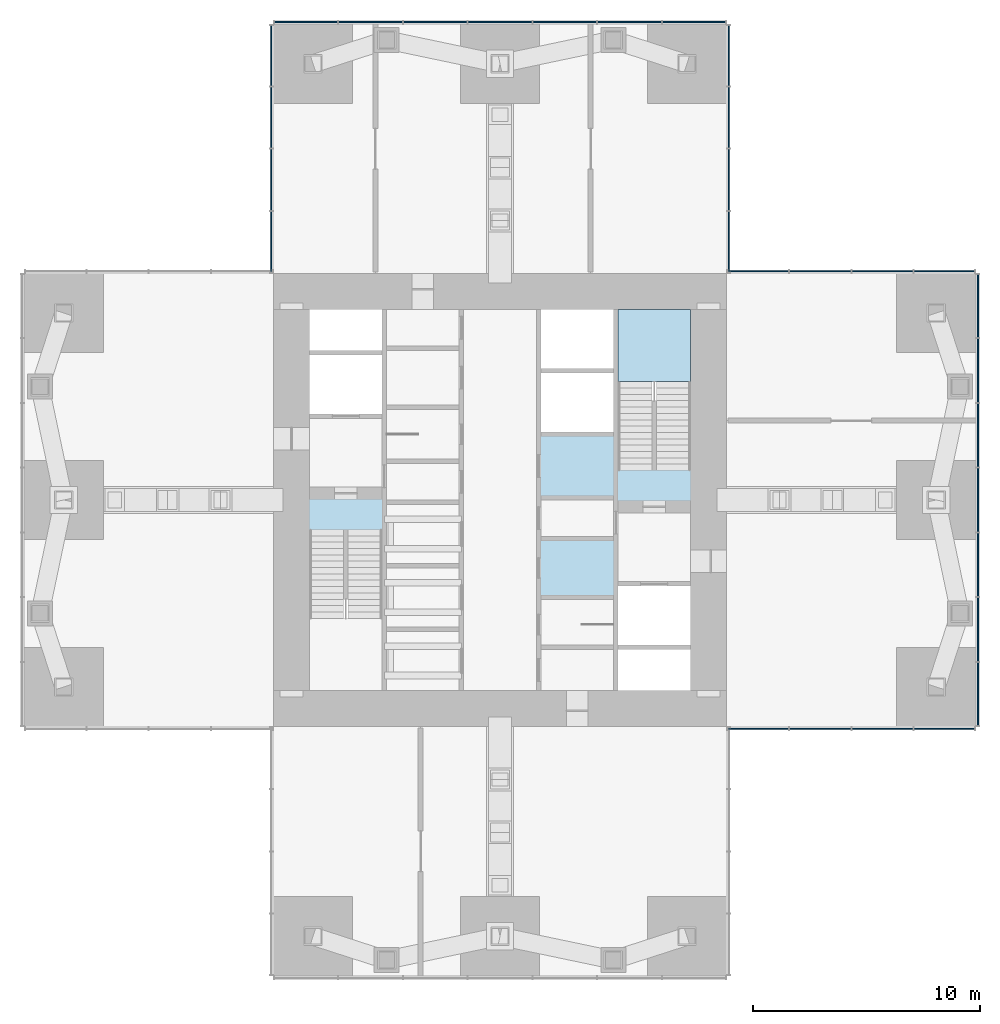
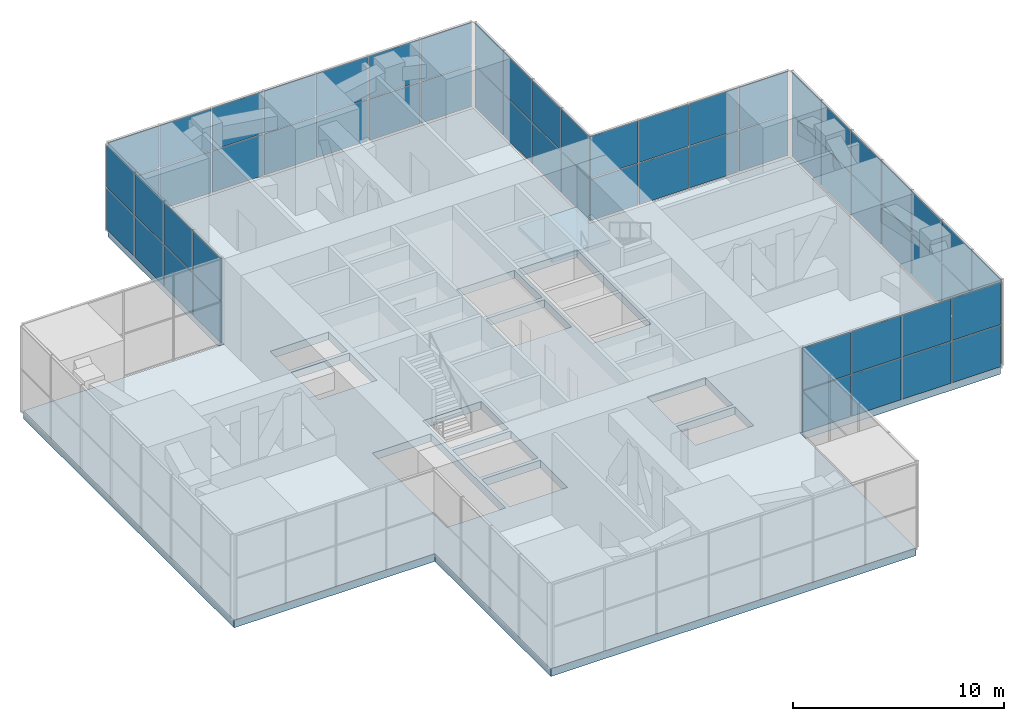
# One storey, part 9 of 12: 60 plates, 2 slabs, 7 elements without a shape of their own.
"""IFC4 building model written with IfcOpenShell, lengths in metres."""

from ifc_helpers import new_model, si_unit, direction, frame, origin, origin_2d, place, context, subcontext, project, spatial, polyline, rectangle, outline, extrude, material, layer, layer_set, type_object, element, aggregate, save


model = new_model("IFC4")

# Units and contexts
model_context = context("Model", 3, precision=1e-05, world=origin(), true_north=direction((0.0, 1.0)))
body_context = subcontext(model_context, "Body", "Model", "MODEL_VIEW")
ifc_project = project(units=[si_unit("LENGTHUNIT", "METRE"), si_unit("AREAUNIT", "SQUARE_METRE"), si_unit("VOLUMEUNIT", "CUBIC_METRE"), si_unit("PLANEANGLEUNIT", "RADIAN"), si_unit("MASSUNIT", "GRAM", prefix="KILO")], contexts=[model_context])

# Site, building, storey
site_placement = place(None, origin())
site = spatial("IfcSite", under=ifc_project, at=site_placement, CompositionType="ELEMENT")
building_placement = place(site_placement, origin())
building = spatial("IfcBuilding", under=site, at=building_placement, Name="Svetlomir Tower", CompositionType="ELEMENT")
storey_placement = place(building_placement, frame((0.0, 0.0, 160.5)))
storey = spatial("IfcBuildingStorey", under=building, at=storey_placement, Name="L38", CompositionType="ELEMENT", Elevation=160.5)

# Curtain wall, plates
ifc_material_1 = material(Name="Bronze anodised aluminium curtain wall", Category="aluminium")
curtain_wall_type = type_object("IfcCurtainWallType", Name="CURTAIN WALL CW3 PLANT LOUVRE", PredefinedType="NOTDEFINED", material=ifc_material_1)
curtain_wall_1_placement = place(storey_placement, origin())
curtain_wall_1 = element("IfcCurtainWall", 1, at=curtain_wall_1_placement, inside=storey, type_object=curtain_wall_type, Name="Curtain wall CW3 L38", PredefinedType="NOTDEFINED")
ifc_material_2 = material(Name="Bronze anodised aluminium louvre", Category="aluminium")
ifc_layer_1 = layer(ifc_material_2, 0.050048828125)
ifc_layer_set_1 = layer_set([ifc_layer_1], Name="Bronze anodised aluminium louvre")
plate_type = type_object("IfcPlateType", Name="CW3 LOUVRE PANEL 50", PredefinedType="CURTAIN_PANEL", material=ifc_layer_set_1)
plate_1_placement = place(storey_placement, frame((32.391357421875, 10.909912109375, 0.06494140625), z_axis=(0.0, 0.0, 1.0), x_axis=(1.0, 0.0, 0.0)))
plate_1 = element("IfcPlate", 2, at=plate_1_placement, type_object=plate_type, Name="CW3 panel 1.1", PredefinedType="CURTAIN_PANEL", context=body_context, shape_type="SweptSolid", body=[
    extrude(rectangle(XDim=2.652587890625, YDim=0.050048828125, at=origin_2d()), origin(), (0.0, 0.0, 1.0), 2.38623046875),
])
plate_2_placement = place(storey_placement, frame((32.391357421875, 10.909912109375, 2.51611328125), z_axis=(0.0, 0.0, 1.0), x_axis=(1.0, 0.0, 0.0)))
plate_2 = element("IfcPlate", 3, at=plate_2_placement, type_object=plate_type, Name="CW3 panel 1.2", PredefinedType="CURTAIN_PANEL", context=body_context, shape_type="SweptSolid", body=[
    extrude(rectangle(XDim=2.652587890625, YDim=0.050048828125, at=origin_2d()), origin(), (0.0, 0.0, 1.0), 2.418701171875),
])
plate_3_placement = place(storey_placement, frame((35.125, 10.909912109375, 0.06494140625), z_axis=(0.0, 0.0, 1.0), x_axis=(1.0, 0.0, 0.0)))
plate_3 = element("IfcPlate", 4, at=plate_3_placement, type_object=plate_type, Name="CW3 panel 2.1", PredefinedType="CURTAIN_PANEL", context=body_context, shape_type="SweptSolid", body=[
    extrude(rectangle(XDim=2.68505859375, YDim=0.050048828125, at=origin_2d()), origin(), (0.0, 0.0, 1.0), 2.38623046875),
])
plate_4_placement = place(storey_placement, frame((35.125, 10.909912109375, 2.51611328125), z_axis=(0.0, 0.0, 1.0), x_axis=(1.0, 0.0, 0.0)))
plate_4 = element("IfcPlate", 5, at=plate_4_placement, type_object=plate_type, Name="CW3 panel 2.2", PredefinedType="CURTAIN_PANEL", context=body_context, shape_type="SweptSolid", body=[
    extrude(rectangle(XDim=2.68505859375, YDim=0.050048828125, at=origin_2d()), origin(), (0.0, 0.0, 1.0), 2.418701171875),
])
plate_5_placement = place(storey_placement, frame((37.875, 10.909912109375, 0.06494140625), z_axis=(0.0, 0.0, 1.0), x_axis=(1.0, 0.0, 0.0)))
plate_5 = element("IfcPlate", 6, at=plate_5_placement, type_object=plate_type, Name="CW3 panel 3.1", PredefinedType="CURTAIN_PANEL", context=body_context, shape_type="SweptSolid", body=[
    extrude(rectangle(XDim=2.68505859375, YDim=0.050048828125, at=origin_2d()), origin(), (0.0, 0.0, 1.0), 2.38623046875),
])
plate_6_placement = place(storey_placement, frame((37.875, 10.909912109375, 2.51611328125), z_axis=(0.0, 0.0, 1.0), x_axis=(1.0, 0.0, 0.0)))
plate_6 = element("IfcPlate", 7, at=plate_6_placement, type_object=plate_type, Name="CW3 panel 3.2", PredefinedType="CURTAIN_PANEL", context=body_context, shape_type="SweptSolid", body=[
    extrude(rectangle(XDim=2.68505859375, YDim=0.050048828125, at=origin_2d()), origin(), (0.0, 0.0, 1.0), 2.418701171875),
])
plate_7_placement = place(storey_placement, frame((40.608642578125, 10.909912109375, 0.06494140625), z_axis=(0.0, 0.0, 1.0), x_axis=(1.0, 0.0, 0.0)))
plate_7 = element("IfcPlate", 8, at=plate_7_placement, type_object=plate_type, Name="CW3 panel 4.1", PredefinedType="CURTAIN_PANEL", context=body_context, shape_type="SweptSolid", body=[
    extrude(rectangle(XDim=2.652587890625, YDim=0.050048828125, at=origin_2d()), origin(), (0.0, 0.0, 1.0), 2.38623046875),
])
plate_8_placement = place(storey_placement, frame((40.608642578125, 10.909912109375, 2.51611328125), z_axis=(0.0, 0.0, 1.0), x_axis=(1.0, 0.0, 0.0)))
plate_8 = element("IfcPlate", 9, at=plate_8_placement, type_object=plate_type, Name="CW3 panel 4.2", PredefinedType="CURTAIN_PANEL", context=body_context, shape_type="SweptSolid", body=[
    extrude(rectangle(XDim=2.652587890625, YDim=0.050048828125, at=origin_2d()), origin(), (0.0, 0.0, 1.0), 2.418701171875),
])
aggregate(curtain_wall_1, [plate_1, plate_2, plate_3, plate_4, plate_5, plate_6, plate_7, plate_8])

curtain_wall_2_placement = place(storey_placement, origin())
curtain_wall_2 = element("IfcCurtainWall", 10, at=curtain_wall_2_placement, inside=storey, type_object=curtain_wall_type, Name="Curtain wall CW3 L38", PredefinedType="NOTDEFINED")
plate_9_placement = place(storey_placement, frame((42.090087890625, 12.44482421875, 0.06494140625), z_axis=(0.0, 0.0, 1.0), x_axis=(0.0, 1.0, 0.0)))
plate_9 = element("IfcPlate", 11, at=plate_9_placement, type_object=plate_type, Name="CW3 panel 1.1", PredefinedType="CURTAIN_PANEL", context=body_context, shape_type="SweptSolid", body=[
    extrude(rectangle(XDim=2.759521484375, YDim=0.050048828125, at=origin_2d()), origin(), (0.0, 0.0, 1.0), 2.38623046875),
])
plate_10_placement = place(storey_placement, frame((42.090087890625, 12.44482421875, 2.51611328125), z_axis=(0.0, 0.0, 1.0), x_axis=(0.0, 1.0, 0.0)))
plate_10 = element("IfcPlate", 12, at=plate_10_placement, type_object=plate_type, Name="CW3 panel 1.2", PredefinedType="CURTAIN_PANEL", context=body_context, shape_type="SweptSolid", body=[
    extrude(rectangle(XDim=2.759521484375, YDim=0.050048828125, at=origin_2d()), origin(), (0.0, 0.0, 1.0), 2.418701171875),
])
plate_11_placement = place(storey_placement, frame((42.090087890625, 15.28564453125, 0.06494140625), z_axis=(0.0, 0.0, 1.0), x_axis=(0.0, 1.0, 0.0)))
plate_11 = element("IfcPlate", 13, at=plate_11_placement, type_object=plate_type, Name="CW3 panel 2.1", PredefinedType="CURTAIN_PANEL", context=body_context, shape_type="SweptSolid", body=[
    extrude(rectangle(XDim=2.792236328125, YDim=0.050048828125, at=origin_2d()), origin(), (0.0, 0.0, 1.0), 2.38623046875),
])
plate_12_placement = place(storey_placement, frame((42.090087890625, 15.28564453125, 2.51611328125), z_axis=(0.0, 0.0, 1.0), x_axis=(0.0, 1.0, 0.0)))
plate_12 = element("IfcPlate", 14, at=plate_12_placement, type_object=plate_type, Name="CW3 panel 2.2", PredefinedType="CURTAIN_PANEL", context=body_context, shape_type="SweptSolid", body=[
    extrude(rectangle(XDim=2.792236328125, YDim=0.050048828125, at=origin_2d()), origin(), (0.0, 0.0, 1.0), 2.418701171875),
])
plate_13_placement = place(storey_placement, frame((42.090087890625, 18.142822265625, 0.06494140625), z_axis=(0.0, 0.0, 1.0), x_axis=(0.0, 1.0, 0.0)))
plate_13 = element("IfcPlate", 15, at=plate_13_placement, type_object=plate_type, Name="CW3 panel 3.1", PredefinedType="CURTAIN_PANEL", context=body_context, shape_type="SweptSolid", body=[
    extrude(rectangle(XDim=2.792236328125, YDim=0.050048828125, at=origin_2d()), origin(), (0.0, 0.0, 1.0), 2.38623046875),
])
plate_14_placement = place(storey_placement, frame((42.090087890625, 18.142822265625, 2.51611328125), z_axis=(0.0, 0.0, 1.0), x_axis=(0.0, 1.0, 0.0)))
plate_14 = element("IfcPlate", 16, at=plate_14_placement, type_object=plate_type, Name="CW3 panel 3.2", PredefinedType="CURTAIN_PANEL", context=body_context, shape_type="SweptSolid", body=[
    extrude(rectangle(XDim=2.792236328125, YDim=0.050048828125, at=origin_2d()), origin(), (0.0, 0.0, 1.0), 2.418701171875),
])
plate_15_placement = place(storey_placement, frame((42.090087890625, 21.0, 0.06494140625), z_axis=(0.0, 0.0, 1.0), x_axis=(0.0, 1.0, 0.0)))
plate_15 = element("IfcPlate", 17, at=plate_15_placement, type_object=plate_type, Name="CW3 panel 4.1", PredefinedType="CURTAIN_PANEL", context=body_context, shape_type="SweptSolid", body=[
    extrude(rectangle(XDim=2.792236328125, YDim=0.050048828125, at=origin_2d()), origin(), (0.0, 0.0, 1.0), 2.38623046875),
])
plate_16_placement = place(storey_placement, frame((42.090087890625, 21.0, 2.51611328125), z_axis=(0.0, 0.0, 1.0), x_axis=(0.0, 1.0, 0.0)))
plate_16 = element("IfcPlate", 18, at=plate_16_placement, type_object=plate_type, Name="CW3 panel 4.2", PredefinedType="CURTAIN_PANEL", context=body_context, shape_type="SweptSolid", body=[
    extrude(rectangle(XDim=2.792236328125, YDim=0.050048828125, at=origin_2d()), origin(), (0.0, 0.0, 1.0), 2.418701171875),
])
plate_17_placement = place(storey_placement, frame((42.090087890625, 23.857177734375, 0.06494140625), z_axis=(0.0, 0.0, 1.0), x_axis=(0.0, 1.0, 0.0)))
plate_17 = element("IfcPlate", 19, at=plate_17_placement, type_object=plate_type, Name="CW3 panel 5.1", PredefinedType="CURTAIN_PANEL", context=body_context, shape_type="SweptSolid", body=[
    extrude(rectangle(XDim=2.792236328125, YDim=0.050048828125, at=origin_2d()), origin(), (0.0, 0.0, 1.0), 2.38623046875),
])
plate_18_placement = place(storey_placement, frame((42.090087890625, 23.857177734375, 2.51611328125), z_axis=(0.0, 0.0, 1.0), x_axis=(0.0, 1.0, 0.0)))
plate_18 = element("IfcPlate", 20, at=plate_18_placement, type_object=plate_type, Name="CW3 panel 5.2", PredefinedType="CURTAIN_PANEL", context=body_context, shape_type="SweptSolid", body=[
    extrude(rectangle(XDim=2.792236328125, YDim=0.050048828125, at=origin_2d()), origin(), (0.0, 0.0, 1.0), 2.418701171875),
])
plate_19_placement = place(storey_placement, frame((42.090087890625, 26.71435546875, 0.06494140625), z_axis=(0.0, 0.0, 1.0), x_axis=(0.0, 1.0, 0.0)))
plate_19 = element("IfcPlate", 21, at=plate_19_placement, type_object=plate_type, Name="CW3 panel 6.1", PredefinedType="CURTAIN_PANEL", context=body_context, shape_type="SweptSolid", body=[
    extrude(rectangle(XDim=2.792236328125, YDim=0.050048828125, at=origin_2d()), origin(), (0.0, 0.0, 1.0), 2.38623046875),
])
plate_20_placement = place(storey_placement, frame((42.090087890625, 26.71435546875, 2.51611328125), z_axis=(0.0, 0.0, 1.0), x_axis=(0.0, 1.0, 0.0)))
plate_20 = element("IfcPlate", 22, at=plate_20_placement, type_object=plate_type, Name="CW3 panel 6.2", PredefinedType="CURTAIN_PANEL", context=body_context, shape_type="SweptSolid", body=[
    extrude(rectangle(XDim=2.792236328125, YDim=0.050048828125, at=origin_2d()), origin(), (0.0, 0.0, 1.0), 2.418701171875),
])
plate_21_placement = place(storey_placement, frame((42.090087890625, 29.55517578125, 0.06494140625), z_axis=(0.0, 0.0, 1.0), x_axis=(0.0, 1.0, 0.0)))
plate_21 = element("IfcPlate", 23, at=plate_21_placement, type_object=plate_type, Name="CW3 panel 7.1", PredefinedType="CURTAIN_PANEL", context=body_context, shape_type="SweptSolid", body=[
    extrude(rectangle(XDim=2.759521484375, YDim=0.050048828125, at=origin_2d()), origin(), (0.0, 0.0, 1.0), 2.38623046875),
])
plate_22_placement = place(storey_placement, frame((42.090087890625, 29.55517578125, 2.51611328125), z_axis=(0.0, 0.0, 1.0), x_axis=(0.0, 1.0, 0.0)))
plate_22 = element("IfcPlate", 24, at=plate_22_placement, type_object=plate_type, Name="CW3 panel 7.2", PredefinedType="CURTAIN_PANEL", context=body_context, shape_type="SweptSolid", body=[
    extrude(rectangle(XDim=2.759521484375, YDim=0.050048828125, at=origin_2d()), origin(), (0.0, 0.0, 1.0), 2.418701171875),
])
aggregate(curtain_wall_2, [plate_9, plate_10, plate_11, plate_12, plate_13, plate_14, plate_15, plate_16, plate_17, plate_18, plate_19, plate_20, plate_21, plate_22])

curtain_wall_3_placement = place(storey_placement, origin())
curtain_wall_3 = element("IfcCurtainWall", 25, at=curtain_wall_3_placement, inside=storey, type_object=curtain_wall_type, Name="Curtain wall CW3 L38", PredefinedType="NOTDEFINED")
plate_23_placement = place(storey_placement, frame((40.608642578125, 31.090087890625, 0.06494140625), z_axis=(0.0, 0.0, 1.0), x_axis=(-1.0, 0.0, 0.0)))
plate_23 = element("IfcPlate", 26, at=plate_23_placement, type_object=plate_type, Name="CW3 panel 1.1", PredefinedType="CURTAIN_PANEL", context=body_context, shape_type="SweptSolid", body=[
    extrude(rectangle(XDim=2.652587890625, YDim=0.050048828125, at=origin_2d()), origin(), (0.0, 0.0, 1.0), 2.38623046875),
])
plate_24_placement = place(storey_placement, frame((40.608642578125, 31.090087890625, 2.51611328125), z_axis=(0.0, 0.0, 1.0), x_axis=(-1.0, 0.0, 0.0)))
plate_24 = element("IfcPlate", 27, at=plate_24_placement, type_object=plate_type, Name="CW3 panel 1.2", PredefinedType="CURTAIN_PANEL", context=body_context, shape_type="SweptSolid", body=[
    extrude(rectangle(XDim=2.652587890625, YDim=0.050048828125, at=origin_2d()), origin(), (0.0, 0.0, 1.0), 2.418701171875),
])
plate_25_placement = place(storey_placement, frame((37.875, 31.090087890625, 0.06494140625), z_axis=(0.0, 0.0, 1.0), x_axis=(-1.0, 0.0, 0.0)))
plate_25 = element("IfcPlate", 28, at=plate_25_placement, type_object=plate_type, Name="CW3 panel 2.1", PredefinedType="CURTAIN_PANEL", context=body_context, shape_type="SweptSolid", body=[
    extrude(rectangle(XDim=2.68505859375, YDim=0.050048828125, at=origin_2d()), origin(), (0.0, 0.0, 1.0), 2.38623046875),
])
plate_26_placement = place(storey_placement, frame((37.875, 31.090087890625, 2.51611328125), z_axis=(0.0, 0.0, 1.0), x_axis=(-1.0, 0.0, 0.0)))
plate_26 = element("IfcPlate", 29, at=plate_26_placement, type_object=plate_type, Name="CW3 panel 2.2", PredefinedType="CURTAIN_PANEL", context=body_context, shape_type="SweptSolid", body=[
    extrude(rectangle(XDim=2.68505859375, YDim=0.050048828125, at=origin_2d()), origin(), (0.0, 0.0, 1.0), 2.418701171875),
])
plate_27_placement = place(storey_placement, frame((35.125, 31.090087890625, 0.06494140625), z_axis=(0.0, 0.0, 1.0), x_axis=(-1.0, 0.0, 0.0)))
plate_27 = element("IfcPlate", 30, at=plate_27_placement, type_object=plate_type, Name="CW3 panel 3.1", PredefinedType="CURTAIN_PANEL", context=body_context, shape_type="SweptSolid", body=[
    extrude(rectangle(XDim=2.68505859375, YDim=0.050048828125, at=origin_2d()), origin(), (0.0, 0.0, 1.0), 2.38623046875),
])
plate_28_placement = place(storey_placement, frame((35.125, 31.090087890625, 2.51611328125), z_axis=(0.0, 0.0, 1.0), x_axis=(-1.0, 0.0, 0.0)))
plate_28 = element("IfcPlate", 31, at=plate_28_placement, type_object=plate_type, Name="CW3 panel 3.2", PredefinedType="CURTAIN_PANEL", context=body_context, shape_type="SweptSolid", body=[
    extrude(rectangle(XDim=2.68505859375, YDim=0.050048828125, at=origin_2d()), origin(), (0.0, 0.0, 1.0), 2.418701171875),
])
plate_29_placement = place(storey_placement, frame((32.391357421875, 31.090087890625, 0.06494140625), z_axis=(0.0, 0.0, 1.0), x_axis=(-1.0, 0.0, 0.0)))
plate_29 = element("IfcPlate", 32, at=plate_29_placement, type_object=plate_type, Name="CW3 panel 4.1", PredefinedType="CURTAIN_PANEL", context=body_context, shape_type="SweptSolid", body=[
    extrude(rectangle(XDim=2.652587890625, YDim=0.050048828125, at=origin_2d()), origin(), (0.0, 0.0, 1.0), 2.38623046875),
])
plate_30_placement = place(storey_placement, frame((32.391357421875, 31.090087890625, 2.51611328125), z_axis=(0.0, 0.0, 1.0), x_axis=(-1.0, 0.0, 0.0)))
plate_30 = element("IfcPlate", 33, at=plate_30_placement, type_object=plate_type, Name="CW3 panel 4.2", PredefinedType="CURTAIN_PANEL", context=body_context, shape_type="SweptSolid", body=[
    extrude(rectangle(XDim=2.652587890625, YDim=0.050048828125, at=origin_2d()), origin(), (0.0, 0.0, 1.0), 2.418701171875),
])
aggregate(curtain_wall_3, [plate_23, plate_24, plate_25, plate_26, plate_27, plate_28, plate_29, plate_30])

curtain_wall_4_placement = place(storey_placement, origin())
curtain_wall_4 = element("IfcCurtainWall", 34, at=curtain_wall_4_placement, inside=storey, type_object=curtain_wall_type, Name="Curtain wall CW3 L38", PredefinedType="NOTDEFINED")
plate_31_placement = place(storey_placement, frame((31.090087890625, 32.391357421875, 0.06494140625), z_axis=(0.0, 0.0, 1.0), x_axis=(0.0, 1.0, 0.0)))
plate_31 = element("IfcPlate", 35, at=plate_31_placement, type_object=plate_type, Name="CW3 panel 1.1", PredefinedType="CURTAIN_PANEL", context=body_context, shape_type="SweptSolid", body=[
    extrude(rectangle(XDim=2.652587890625, YDim=0.050048828125, at=origin_2d()), origin(), (0.0, 0.0, 1.0), 2.38623046875),
])
plate_32_placement = place(storey_placement, frame((31.090087890625, 32.391357421875, 2.51611328125), z_axis=(0.0, 0.0, 1.0), x_axis=(0.0, 1.0, 0.0)))
plate_32 = element("IfcPlate", 36, at=plate_32_placement, type_object=plate_type, Name="CW3 panel 1.2", PredefinedType="CURTAIN_PANEL", context=body_context, shape_type="SweptSolid", body=[
    extrude(rectangle(XDim=2.652587890625, YDim=0.050048828125, at=origin_2d()), origin(), (0.0, 0.0, 1.0), 2.418701171875),
])
plate_33_placement = place(storey_placement, frame((31.090087890625, 35.125, 0.06494140625), z_axis=(0.0, 0.0, 1.0), x_axis=(0.0, 1.0, 0.0)))
plate_33 = element("IfcPlate", 37, at=plate_33_placement, type_object=plate_type, Name="CW3 panel 2.1", PredefinedType="CURTAIN_PANEL", context=body_context, shape_type="SweptSolid", body=[
    extrude(rectangle(XDim=2.68505859375, YDim=0.050048828125, at=origin_2d()), origin(), (0.0, 0.0, 1.0), 2.38623046875),
])
plate_34_placement = place(storey_placement, frame((31.090087890625, 35.125, 2.51611328125), z_axis=(0.0, 0.0, 1.0), x_axis=(0.0, 1.0, 0.0)))
plate_34 = element("IfcPlate", 38, at=plate_34_placement, type_object=plate_type, Name="CW3 panel 2.2", PredefinedType="CURTAIN_PANEL", context=body_context, shape_type="SweptSolid", body=[
    extrude(rectangle(XDim=2.68505859375, YDim=0.050048828125, at=origin_2d()), origin(), (0.0, 0.0, 1.0), 2.418701171875),
])
plate_35_placement = place(storey_placement, frame((31.090087890625, 37.875, 0.06494140625), z_axis=(0.0, 0.0, 1.0), x_axis=(0.0, 1.0, 0.0)))
plate_35 = element("IfcPlate", 39, at=plate_35_placement, type_object=plate_type, Name="CW3 panel 3.1", PredefinedType="CURTAIN_PANEL", context=body_context, shape_type="SweptSolid", body=[
    extrude(rectangle(XDim=2.68505859375, YDim=0.050048828125, at=origin_2d()), origin(), (0.0, 0.0, 1.0), 2.38623046875),
])
plate_36_placement = place(storey_placement, frame((31.090087890625, 37.875, 2.51611328125), z_axis=(0.0, 0.0, 1.0), x_axis=(0.0, 1.0, 0.0)))
plate_36 = element("IfcPlate", 40, at=plate_36_placement, type_object=plate_type, Name="CW3 panel 3.2", PredefinedType="CURTAIN_PANEL", context=body_context, shape_type="SweptSolid", body=[
    extrude(rectangle(XDim=2.68505859375, YDim=0.050048828125, at=origin_2d()), origin(), (0.0, 0.0, 1.0), 2.418701171875),
])
plate_37_placement = place(storey_placement, frame((31.090087890625, 40.608642578125, 0.06494140625), z_axis=(0.0, 0.0, 1.0), x_axis=(0.0, 1.0, 0.0)))
plate_37 = element("IfcPlate", 41, at=plate_37_placement, type_object=plate_type, Name="CW3 panel 4.1", PredefinedType="CURTAIN_PANEL", context=body_context, shape_type="SweptSolid", body=[
    extrude(rectangle(XDim=2.652587890625, YDim=0.050048828125, at=origin_2d()), origin(), (0.0, 0.0, 1.0), 2.38623046875),
])
plate_38_placement = place(storey_placement, frame((31.090087890625, 40.608642578125, 2.51611328125), z_axis=(0.0, 0.0, 1.0), x_axis=(0.0, 1.0, 0.0)))
plate_38 = element("IfcPlate", 42, at=plate_38_placement, type_object=plate_type, Name="CW3 panel 4.2", PredefinedType="CURTAIN_PANEL", context=body_context, shape_type="SweptSolid", body=[
    extrude(rectangle(XDim=2.652587890625, YDim=0.050048828125, at=origin_2d()), origin(), (0.0, 0.0, 1.0), 2.418701171875),
])
aggregate(curtain_wall_4, [plate_31, plate_32, plate_33, plate_34, plate_35, plate_36, plate_37, plate_38])

curtain_wall_5_placement = place(storey_placement, origin())
curtain_wall_5 = element("IfcCurtainWall", 43, at=curtain_wall_5_placement, inside=storey, type_object=curtain_wall_type, Name="Curtain wall CW3 L38", PredefinedType="NOTDEFINED")
plate_39_placement = place(storey_placement, frame((29.55517578125, 42.090087890625, 0.06494140625), z_axis=(0.0, 0.0, 1.0), x_axis=(-1.0, 0.0, 0.0)))
plate_39 = element("IfcPlate", 44, at=plate_39_placement, type_object=plate_type, Name="CW3 panel 1.1", PredefinedType="CURTAIN_PANEL", context=body_context, shape_type="SweptSolid", body=[
    extrude(rectangle(XDim=2.759521484375, YDim=0.050048828125, at=origin_2d()), origin(), (0.0, 0.0, 1.0), 2.38623046875),
])
plate_40_placement = place(storey_placement, frame((29.55517578125, 42.090087890625, 2.51611328125), z_axis=(0.0, 0.0, 1.0), x_axis=(-1.0, 0.0, 0.0)))
plate_40 = element("IfcPlate", 45, at=plate_40_placement, type_object=plate_type, Name="CW3 panel 1.2", PredefinedType="CURTAIN_PANEL", context=body_context, shape_type="SweptSolid", body=[
    extrude(rectangle(XDim=2.759521484375, YDim=0.050048828125, at=origin_2d()), origin(), (0.0, 0.0, 1.0), 2.418701171875),
])
plate_41_placement = place(storey_placement, frame((26.71435546875, 42.090087890625, 0.06494140625), z_axis=(0.0, 0.0, 1.0), x_axis=(-1.0, 0.0, 0.0)))
plate_41 = element("IfcPlate", 46, at=plate_41_placement, type_object=plate_type, Name="CW3 panel 2.1", PredefinedType="CURTAIN_PANEL", context=body_context, shape_type="SweptSolid", body=[
    extrude(rectangle(XDim=2.792236328125, YDim=0.050048828125, at=origin_2d()), origin(), (0.0, 0.0, 1.0), 2.38623046875),
])
plate_42_placement = place(storey_placement, frame((26.71435546875, 42.090087890625, 2.51611328125), z_axis=(0.0, 0.0, 1.0), x_axis=(-1.0, 0.0, 0.0)))
plate_42 = element("IfcPlate", 47, at=plate_42_placement, type_object=plate_type, Name="CW3 panel 2.2", PredefinedType="CURTAIN_PANEL", context=body_context, shape_type="SweptSolid", body=[
    extrude(rectangle(XDim=2.792236328125, YDim=0.050048828125, at=origin_2d()), origin(), (0.0, 0.0, 1.0), 2.418701171875),
])
plate_43_placement = place(storey_placement, frame((23.857177734375, 42.090087890625, 0.06494140625), z_axis=(0.0, 0.0, 1.0), x_axis=(-1.0, 0.0, 0.0)))
plate_43 = element("IfcPlate", 48, at=plate_43_placement, type_object=plate_type, Name="CW3 panel 3.1", PredefinedType="CURTAIN_PANEL", context=body_context, shape_type="SweptSolid", body=[
    extrude(rectangle(XDim=2.792236328125, YDim=0.050048828125, at=origin_2d()), origin(), (0.0, 0.0, 1.0), 2.38623046875),
])
plate_44_placement = place(storey_placement, frame((23.857177734375, 42.090087890625, 2.51611328125), z_axis=(0.0, 0.0, 1.0), x_axis=(-1.0, 0.0, 0.0)))
plate_44 = element("IfcPlate", 49, at=plate_44_placement, type_object=plate_type, Name="CW3 panel 3.2", PredefinedType="CURTAIN_PANEL", context=body_context, shape_type="SweptSolid", body=[
    extrude(rectangle(XDim=2.792236328125, YDim=0.050048828125, at=origin_2d()), origin(), (0.0, 0.0, 1.0), 2.418701171875),
])
plate_45_placement = place(storey_placement, frame((21.0, 42.090087890625, 0.06494140625), z_axis=(0.0, 0.0, 1.0), x_axis=(-1.0, 0.0, 0.0)))
plate_45 = element("IfcPlate", 50, at=plate_45_placement, type_object=plate_type, Name="CW3 panel 4.1", PredefinedType="CURTAIN_PANEL", context=body_context, shape_type="SweptSolid", body=[
    extrude(rectangle(XDim=2.792236328125, YDim=0.050048828125, at=origin_2d()), origin(), (0.0, 0.0, 1.0), 2.38623046875),
])
plate_46_placement = place(storey_placement, frame((21.0, 42.090087890625, 2.51611328125), z_axis=(0.0, 0.0, 1.0), x_axis=(-1.0, 0.0, 0.0)))
plate_46 = element("IfcPlate", 51, at=plate_46_placement, type_object=plate_type, Name="CW3 panel 4.2", PredefinedType="CURTAIN_PANEL", context=body_context, shape_type="SweptSolid", body=[
    extrude(rectangle(XDim=2.792236328125, YDim=0.050048828125, at=origin_2d()), origin(), (0.0, 0.0, 1.0), 2.418701171875),
])
plate_47_placement = place(storey_placement, frame((18.142822265625, 42.090087890625, 0.06494140625), z_axis=(0.0, 0.0, 1.0), x_axis=(-1.0, 0.0, 0.0)))
plate_47 = element("IfcPlate", 52, at=plate_47_placement, type_object=plate_type, Name="CW3 panel 5.1", PredefinedType="CURTAIN_PANEL", context=body_context, shape_type="SweptSolid", body=[
    extrude(rectangle(XDim=2.792236328125, YDim=0.050048828125, at=origin_2d()), origin(), (0.0, 0.0, 1.0), 2.38623046875),
])
plate_48_placement = place(storey_placement, frame((18.142822265625, 42.090087890625, 2.51611328125), z_axis=(0.0, 0.0, 1.0), x_axis=(-1.0, 0.0, 0.0)))
plate_48 = element("IfcPlate", 53, at=plate_48_placement, type_object=plate_type, Name="CW3 panel 5.2", PredefinedType="CURTAIN_PANEL", context=body_context, shape_type="SweptSolid", body=[
    extrude(rectangle(XDim=2.792236328125, YDim=0.050048828125, at=origin_2d()), origin(), (0.0, 0.0, 1.0), 2.418701171875),
])
plate_49_placement = place(storey_placement, frame((15.28564453125, 42.090087890625, 0.06494140625), z_axis=(0.0, 0.0, 1.0), x_axis=(-1.0, 0.0, 0.0)))
plate_49 = element("IfcPlate", 54, at=plate_49_placement, type_object=plate_type, Name="CW3 panel 6.1", PredefinedType="CURTAIN_PANEL", context=body_context, shape_type="SweptSolid", body=[
    extrude(rectangle(XDim=2.792236328125, YDim=0.050048828125, at=origin_2d()), origin(), (0.0, 0.0, 1.0), 2.38623046875),
])
plate_50_placement = place(storey_placement, frame((15.28564453125, 42.090087890625, 2.51611328125), z_axis=(0.0, 0.0, 1.0), x_axis=(-1.0, 0.0, 0.0)))
plate_50 = element("IfcPlate", 55, at=plate_50_placement, type_object=plate_type, Name="CW3 panel 6.2", PredefinedType="CURTAIN_PANEL", context=body_context, shape_type="SweptSolid", body=[
    extrude(rectangle(XDim=2.792236328125, YDim=0.050048828125, at=origin_2d()), origin(), (0.0, 0.0, 1.0), 2.418701171875),
])
plate_51_placement = place(storey_placement, frame((12.44482421875, 42.090087890625, 0.06494140625), z_axis=(0.0, 0.0, 1.0), x_axis=(-1.0, 0.0, 0.0)))
plate_51 = element("IfcPlate", 56, at=plate_51_placement, type_object=plate_type, Name="CW3 panel 7.1", PredefinedType="CURTAIN_PANEL", context=body_context, shape_type="SweptSolid", body=[
    extrude(rectangle(XDim=2.759521484375, YDim=0.050048828125, at=origin_2d()), origin(), (0.0, 0.0, 1.0), 2.38623046875),
])
plate_52_placement = place(storey_placement, frame((12.44482421875, 42.090087890625, 2.51611328125), z_axis=(0.0, 0.0, 1.0), x_axis=(-1.0, 0.0, 0.0)))
plate_52 = element("IfcPlate", 57, at=plate_52_placement, type_object=plate_type, Name="CW3 panel 7.2", PredefinedType="CURTAIN_PANEL", context=body_context, shape_type="SweptSolid", body=[
    extrude(rectangle(XDim=2.759521484375, YDim=0.050048828125, at=origin_2d()), origin(), (0.0, 0.0, 1.0), 2.418701171875),
])
aggregate(curtain_wall_5, [plate_39, plate_40, plate_41, plate_42, plate_43, plate_44, plate_45, plate_46, plate_47, plate_48, plate_49, plate_50, plate_51, plate_52])

curtain_wall_6_placement = place(storey_placement, origin())
curtain_wall_6 = element("IfcCurtainWall", 58, at=curtain_wall_6_placement, inside=storey, type_object=curtain_wall_type, Name="Curtain wall CW3 L38", PredefinedType="NOTDEFINED")
plate_53_placement = place(storey_placement, frame((10.909912109375, 40.608642578125, 0.06494140625), z_axis=(0.0, 0.0, 1.0), x_axis=(0.0, -1.0, 0.0)))
plate_53 = element("IfcPlate", 59, at=plate_53_placement, type_object=plate_type, Name="CW3 panel 1.1", PredefinedType="CURTAIN_PANEL", context=body_context, shape_type="SweptSolid", body=[
    extrude(rectangle(XDim=2.652587890625, YDim=0.050048828125, at=origin_2d()), origin(), (0.0, 0.0, 1.0), 2.38623046875),
])
plate_54_placement = place(storey_placement, frame((10.909912109375, 40.608642578125, 2.51611328125), z_axis=(0.0, 0.0, 1.0), x_axis=(0.0, -1.0, 0.0)))
plate_54 = element("IfcPlate", 60, at=plate_54_placement, type_object=plate_type, Name="CW3 panel 1.2", PredefinedType="CURTAIN_PANEL", context=body_context, shape_type="SweptSolid", body=[
    extrude(rectangle(XDim=2.652587890625, YDim=0.050048828125, at=origin_2d()), origin(), (0.0, 0.0, 1.0), 2.418701171875),
])
plate_55_placement = place(storey_placement, frame((10.909912109375, 37.875, 0.06494140625), z_axis=(0.0, 0.0, 1.0), x_axis=(0.0, -1.0, 0.0)))
plate_55 = element("IfcPlate", 61, at=plate_55_placement, type_object=plate_type, Name="CW3 panel 2.1", PredefinedType="CURTAIN_PANEL", context=body_context, shape_type="SweptSolid", body=[
    extrude(rectangle(XDim=2.68505859375, YDim=0.050048828125, at=origin_2d()), origin(), (0.0, 0.0, 1.0), 2.38623046875),
])
plate_56_placement = place(storey_placement, frame((10.909912109375, 37.875, 2.51611328125), z_axis=(0.0, 0.0, 1.0), x_axis=(0.0, -1.0, 0.0)))
plate_56 = element("IfcPlate", 62, at=plate_56_placement, type_object=plate_type, Name="CW3 panel 2.2", PredefinedType="CURTAIN_PANEL", context=body_context, shape_type="SweptSolid", body=[
    extrude(rectangle(XDim=2.68505859375, YDim=0.050048828125, at=origin_2d()), origin(), (0.0, 0.0, 1.0), 2.418701171875),
])
plate_57_placement = place(storey_placement, frame((10.909912109375, 35.125, 0.06494140625), z_axis=(0.0, 0.0, 1.0), x_axis=(0.0, -1.0, 0.0)))
plate_57 = element("IfcPlate", 63, at=plate_57_placement, type_object=plate_type, Name="CW3 panel 3.1", PredefinedType="CURTAIN_PANEL", context=body_context, shape_type="SweptSolid", body=[
    extrude(rectangle(XDim=2.68505859375, YDim=0.050048828125, at=origin_2d()), origin(), (0.0, 0.0, 1.0), 2.38623046875),
])
plate_58_placement = place(storey_placement, frame((10.909912109375, 35.125, 2.51611328125), z_axis=(0.0, 0.0, 1.0), x_axis=(0.0, -1.0, 0.0)))
plate_58 = element("IfcPlate", 64, at=plate_58_placement, type_object=plate_type, Name="CW3 panel 3.2", PredefinedType="CURTAIN_PANEL", context=body_context, shape_type="SweptSolid", body=[
    extrude(rectangle(XDim=2.68505859375, YDim=0.050048828125, at=origin_2d()), origin(), (0.0, 0.0, 1.0), 2.418701171875),
])
plate_59_placement = place(storey_placement, frame((10.909912109375, 32.391357421875, 0.06494140625), z_axis=(0.0, 0.0, 1.0), x_axis=(0.0, -1.0, 0.0)))
plate_59 = element("IfcPlate", 65, at=plate_59_placement, type_object=plate_type, Name="CW3 panel 4.1", PredefinedType="CURTAIN_PANEL", context=body_context, shape_type="SweptSolid", body=[
    extrude(rectangle(XDim=2.652587890625, YDim=0.050048828125, at=origin_2d()), origin(), (0.0, 0.0, 1.0), 2.38623046875),
])
plate_60_placement = place(storey_placement, frame((10.909912109375, 32.391357421875, 2.51611328125), z_axis=(0.0, 0.0, 1.0), x_axis=(0.0, -1.0, 0.0)))
plate_60 = element("IfcPlate", 66, at=plate_60_placement, type_object=plate_type, Name="CW3 panel 4.2", PredefinedType="CURTAIN_PANEL", context=body_context, shape_type="SweptSolid", body=[
    extrude(rectangle(XDim=2.652587890625, YDim=0.050048828125, at=origin_2d()), origin(), (0.0, 0.0, 1.0), 2.418701171875),
])
aggregate(curtain_wall_6, [plate_53, plate_54, plate_55, plate_56, plate_57, plate_58, plate_59, plate_60])

# Slab
ifc_material_3 = material(Name="Concrete C60/75", Category="concrete")
ifc_layer_2 = layer(ifc_material_3, 0.449951171875)
ifc_layer_set_2 = layer_set([ifc_layer_2], Name="Concrete C60/75")
slab_type_1 = type_object("IfcSlabType", Name="FLOOR SLAB 450", PredefinedType="FLOOR", material=ifc_layer_set_2)
slab_1_placement = place(storey_placement, frame((0.0, 0.0, -0.449951171875)))
element("IfcSlab", 67, at=slab_1_placement, inside=storey, type_object=slab_type_1, Name="L38 floor slab", PredefinedType="FLOOR", context=body_context, shape_type="SweptSolid", body=[
    extrude(outline(polyline([(11.0, 0.0), (31.0, 0.0), (31.0, 11.0), (42.0, 11.0), (42.0, 31.0), (31.0, 31.0), (31.0, 42.0), (11.0, 42.0), (11.0, 31.0), (0.0, 31.0), (0.0, 11.0), (11.0, 11.0), (11.0, 0.0)]), holes=[polyline([(12.60009765625, 24.800048828125), (15.800048828125, 24.800048828125), (15.800048828125, 27.39990234375), (12.60009765625, 27.39990234375), (12.60009765625, 24.800048828125)]), polyline([(26.199951171875, 14.60009765625), (29.39990234375, 14.60009765625), (29.39990234375, 17.199951171875), (26.199951171875, 17.199951171875), (26.199951171875, 14.60009765625)]), polyline([(16.0, 12.60009765625), (19.199951171875, 12.60009765625), (19.199951171875, 15.199951171875), (16.0, 15.199951171875), (16.0, 12.60009765625)]), polyline([(16.0, 15.39990234375), (19.199951171875, 15.39990234375), (19.199951171875, 18.0), (16.0, 18.0), (16.0, 15.39990234375)]), polyline([(16.0, 18.199951171875), (19.199951171875, 18.199951171875), (19.199951171875, 20.800048828125), (16.0, 20.800048828125), (16.0, 18.199951171875)]), polyline([(22.800048828125, 24.0), (26.0, 24.0), (26.0, 26.60009765625), (22.800048828125, 26.60009765625), (22.800048828125, 24.0)]), polyline([(22.800048828125, 26.800048828125), (26.0, 26.800048828125), (26.0, 29.39990234375), (22.800048828125, 29.39990234375), (22.800048828125, 26.800048828125)]), polyline([(12.60009765625, 27.60009765625), (15.800048828125, 27.60009765625), (15.800048828125, 29.39990234375), (12.60009765625, 29.39990234375), (12.60009765625, 27.60009765625)]), polyline([(26.199951171875, 12.60009765625), (29.39990234375, 12.60009765625), (29.39990234375, 14.39990234375), (26.199951171875, 14.39990234375), (26.199951171875, 12.60009765625)]), polyline([(12.60009765625, 12.60009765625), (15.800048828125, 12.60009765625), (15.800048828125, 19.679931640625), (12.60009765625, 19.679931640625), (12.60009765625, 12.60009765625)]), polyline([(26.199951171875, 22.320068359375), (29.39990234375, 22.320068359375), (29.39990234375, 29.39990234375), (26.199951171875, 29.39990234375), (26.199951171875, 22.320068359375)])]), origin(), (0.0, 0.0, 1.0), 0.449951171875),
])

# Stair, slab
ifc_material_4 = material(Name="Concrete C60/75", Category="concrete")
stair_type = type_object("IfcStairType", Name="EXIT STAIR 3200 RISE 5000", PredefinedType="HALF_TURN_STAIR", material=ifc_material_4)
stair_placement = place(storey_placement, origin())
stair = element("IfcStair", 68, at=stair_placement, inside=storey, type_object=stair_type, Name="Stair S2 L38 to L39", PredefinedType="HALF_TURN_STAIR")
ifc_material_5 = material(Name="Concrete C60/75", Category="concrete")
ifc_layer_3 = layer(ifc_material_5, 0.199951171875)
ifc_layer_set_3 = layer_set([ifc_layer_3], Name="Concrete C60/75")
slab_type_2 = type_object("IfcSlabType", Name="STAIR LANDING 200", PredefinedType="LANDING", material=ifc_layer_set_3)
slab_2_placement = place(storey_placement, frame((0.0, 0.0, 2.300048828125)))
slab_2 = element("IfcSlab", 69, at=slab_2_placement, type_object=slab_type_2, Name="S2 landing 1", PredefinedType="LANDING", context=body_context, shape_type="SweptSolid", body=[
    extrude(outline(polyline([(26.199951171875, 26.219970703125), (29.39990234375, 26.219970703125), (29.39990234375, 29.39990234375), (26.199951171875, 29.39990234375), (26.199951171875, 26.219970703125)])), origin(), (0.0, 0.0, 1.0), 0.199951171875),
])
aggregate(stair, [slab_2])

save(model, "model.ifc")
